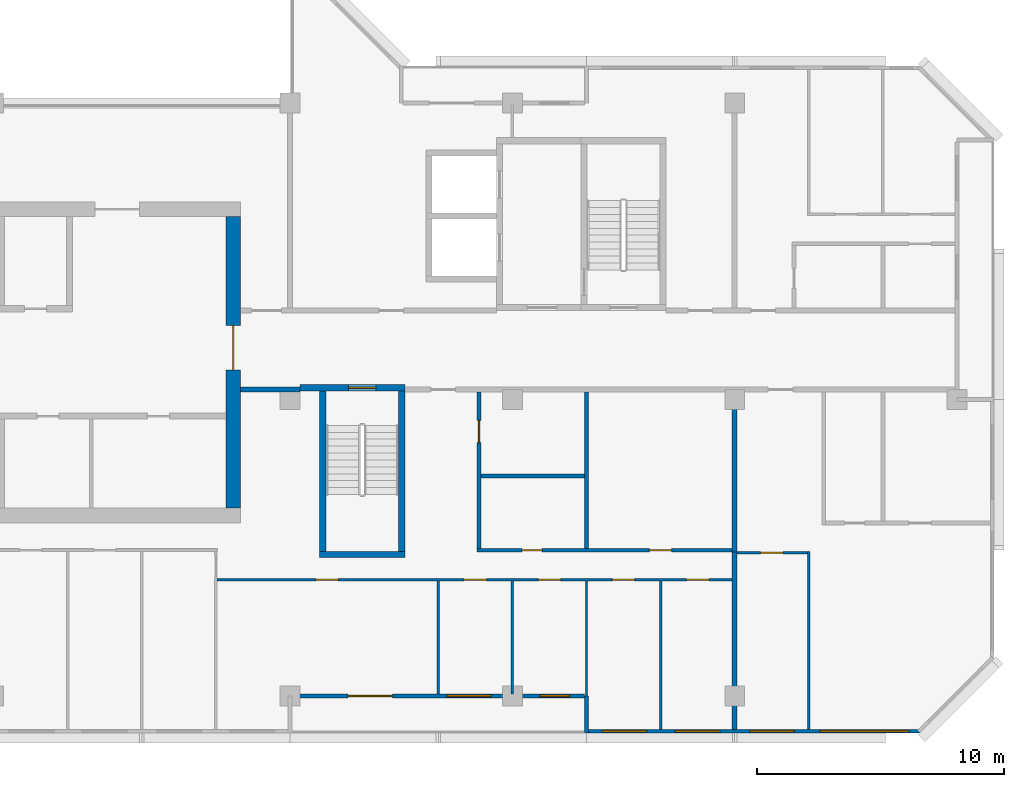
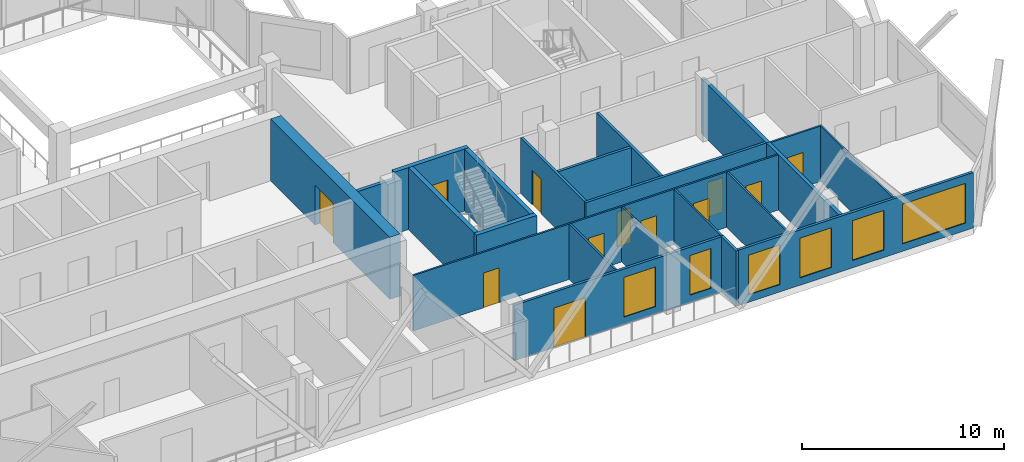
# One storey, part 6 of 13: 22 walls, 12 doors, 6 windows, 18 openings.
"""IFC4 building model written with IfcOpenShell, lengths in metres."""

from ifc_helpers import new_model, si_unit, direction, frame, frame_2d, origin, place, context, subcontext, project, spatial, rectangle, extrude, material, layer, layer_set, type_object, element, fill, save


model = new_model("IFC4")

# Units and contexts
model_context = context("Model", 3, precision=1e-05, world=origin(), true_north=direction((0.0, 1.0)))
body_context = subcontext(model_context, "Body", "Model", "MODEL_VIEW")
ifc_project = project(units=[si_unit("LENGTHUNIT", "METRE"), si_unit("AREAUNIT", "SQUARE_METRE"), si_unit("VOLUMEUNIT", "CUBIC_METRE"), si_unit("PLANEANGLEUNIT", "RADIAN"), si_unit("MASSUNIT", "GRAM", prefix="KILO")], contexts=[model_context])

# Site, building, storey
site_placement = place(None, origin())
site = spatial("IfcSite", under=ifc_project, at=site_placement, CompositionType="ELEMENT")
building_placement = place(site_placement, origin())
building = spatial("IfcBuilding", under=site, at=building_placement, Name="Chenar Terraces", CompositionType="ELEMENT")
storey_placement = place(building_placement, frame((0.0, 0.0, 280.89990234375)))
storey = spatial("IfcBuildingStorey", under=building, at=storey_placement, Name="L65", CompositionType="ELEMENT", Elevation=280.89990234375)

# Wall
ifc_material_1 = material(Name="Concrete C50/60", Category="concrete")
ifc_layer_1 = layer(ifc_material_1, 0.25)
ifc_layer_set_1 = layer_set([ifc_layer_1], Name="Concrete C50/60")
wall_type_1 = type_object("IfcWallType", Name="Core wall 250 Concrete C50/60", PredefinedType="SHEAR", material=ifc_layer_set_1)
wall_1_placement = place(storey_placement, frame((37.199951171875, 5.72509765625, 0.0), z_axis=(0.0, 0.0, 1.0), x_axis=(1.0, 0.0, 0.0)))
element("IfcWall", 1, at=wall_1_placement, inside=storey, type_object=wall_type_1, Name="Core wall ST2_S L65", PredefinedType="SHEAR", context=body_context, shape_type="SweptSolid", body=[
    extrude(rectangle(XDim=3.449951171875, YDim=0.25, at=frame_2d((1.72509765625, 0.0))), origin(), (0.0, 0.0, 1.0), 3.75),
])

# Wall, opening, door
wall_2_placement = place(storey_placement, frame((36.39990234375, 12.47509765625, 0.0), z_axis=(0.0, 0.0, 1.0), x_axis=(1.0, 0.0, 0.0)))
wall_2 = element("IfcWall", 2, at=wall_2_placement, inside=storey, type_object=wall_type_1, Name="Core wall ST2_N L65", PredefinedType="SHEAR", context=body_context, shape_type="SweptSolid", body=[
    extrude(rectangle(XDim=4.25, YDim=0.25, at=frame_2d((2.125, 0.0))), origin(), (0.0, 0.0, 1.0), 3.75),
])
opening_1_placement = place(wall_2_placement, frame((1.97509765625, 0.0, 0.0)))
opening_1 = element("IfcOpeningElement", 3, at=opening_1_placement, cuts=wall_2, Name="Opening DL65-C7", PredefinedType="OPENING", context=body_context, shape_type="SweptSolid", body=[
    extrude(rectangle(XDim=1.10009765625, YDim=2.199951171875, at=frame_2d((0.550048828125, 1.10009765625))), frame((0.0, 0.135009765625, 0.0), z_axis=(0.0, -1.0, 0.0), x_axis=(1.0, 0.0, 0.0)), (0.0, 0.0, 1.0), 0.27001953125),
])
ifc_material_2 = material(Name="Steel-framed fire-resisting door leaf", Category="steel")
door_type_1 = type_object("IfcDoorType", Name="Stair fire door FD60 1100 x 2200", OperationType="SINGLE_SWING_LEFT", PredefinedType="DOOR", material=ifc_material_2)
door_1_placement = place(opening_1_placement, frame((1.10009765625, 0.0, 0.0), z_axis=(0.0, 0.0, 1.0), x_axis=(-1.0, 0.0, 0.0)))
door_1 = element("IfcDoor", 4, at=door_1_placement, inside=storey, type_object=door_type_1, Name="Stair door DL65-C7", OperationType="SINGLE_SWING_LEFT", OverallHeight=2.199951171875, OverallWidth=1.10009765625, PredefinedType="DOOR", context=body_context, shape_type="SweptSolid", body=[
    extrude(rectangle(XDim=1.10009765625, YDim=2.199951171875, at=frame_2d((0.550048828125, 1.10009765625))), frame((0.0, 0.02490234375, 0.0), z_axis=(0.0, -1.0, 0.0), x_axis=(1.0, 0.0, 0.0)), (0.0, 0.0, 1.0), 0.050048828125),
])
fill(opening_1, door_1)

# Walls
for number, where, z_axis, x_axis, name in (
    (5, (37.324951171875, 5.85009765625, 0.0), (0.0, 0.0, 1.0), (0.0, 1.0, 0.0), "Core wall ST2_W L65"),
    (6, (40.52490234375, 5.85009765625, 0.0), (0.0, 0.0, 1.0), (0.0, 1.0, 0.0), "Core wall ST2_E L65"),
):
    element("IfcWall", number, at=place(storey_placement, frame(where, z_axis=z_axis, x_axis=x_axis)), inside=storey, type_object=wall_type_1, Name=name, PredefinedType="SHEAR", context=body_context, shape_type="SweptSolid", body=[
        extrude(rectangle(XDim=6.5, YDim=0.25, at=frame_2d((3.25, 0.0))), origin(), (0.0, 0.0, 1.0), 3.75),
    ])

# Wall, opening, door
ifc_material_3 = material(Name="Concrete C50/60", Category="concrete")
ifc_layer_2 = layer(ifc_material_3, 0.60009765625)
ifc_layer_set_2 = layer_set([ifc_layer_2], Name="Concrete C50/60")
wall_type_2 = type_object("IfcWallType", Name="Core wall 600 Concrete C50/60", PredefinedType="SHEAR", material=ifc_layer_set_2)
wall_3_placement = place(storey_placement, frame((33.699951171875, 7.60009765625, 0.0), z_axis=(0.0, 0.0, 1.0), x_axis=(0.0, 1.0, 0.0)))
wall_3 = element("IfcWall", 7, at=wall_3_placement, inside=storey, type_object=wall_type_2, Name="Core wall E L65", PredefinedType="SHEAR", context=body_context, shape_type="SweptSolid", body=[
    extrude(rectangle(XDim=11.7998046875, YDim=0.60009765625, at=frame_2d((5.89990234375, 0.0))), origin(), (0.0, 0.0, 1.0), 3.75),
])
opening_2_placement = place(wall_3_placement, frame((5.60009765625, 0.0, 0.0)))
opening_2 = element("IfcOpeningElement", 8, at=opening_2_placement, cuts=wall_3, Name="Opening DL65-C1", PredefinedType="OPENING", context=body_context, shape_type="SweptSolid", body=[
    extrude(rectangle(XDim=1.800048828125, YDim=2.39990234375, at=frame_2d((0.89990234375, 1.199951171875))), frame((0.0, 0.31005859375, 0.0), z_axis=(0.0, -1.0, 0.0), x_axis=(1.0, 0.0, 0.0)), (0.0, 0.0, 1.0), 0.6201171875),
])
ifc_material_4 = material(Name="Steel-framed fire-resisting door leaf", Category="steel")
door_type_2 = type_object("IfcDoorType", Name="Core entrance double fire door FD60 1800 x 2400", OperationType="DOUBLE_DOOR_SINGLE_SWING", PredefinedType="DOOR", material=ifc_material_4)
door_2_placement = place(opening_2_placement, origin())
door_2 = element("IfcDoor", 9, at=door_2_placement, inside=storey, type_object=door_type_2, Name="Core door DL65-C1", OperationType="DOUBLE_DOOR_SINGLE_SWING", OverallHeight=2.39990234375, OverallWidth=1.800048828125, PredefinedType="DOOR", context=body_context, shape_type="SweptSolid", body=[
    extrude(rectangle(XDim=1.800048828125, YDim=2.39990234375, at=frame_2d((0.89990234375, 1.199951171875))), frame((0.0, 0.02490234375, 0.0), z_axis=(0.0, -1.0, 0.0), x_axis=(1.0, 0.0, 0.0)), (0.0, 0.0, 1.0), 0.050048828125),
])
fill(opening_2, door_2)

# Wall
ifc_material_5 = material(Name="Gypsum board on steel studs with fire boards", Category="steel")
ifc_layer_3 = layer(ifc_material_5, 0.199951171875)
ifc_layer_set_3 = layer_set([ifc_layer_3], Name="Gypsum board on steel studs with fire boards")
wall_type_3 = type_object("IfcWallType", Name="Corridor wall 200", PredefinedType="PARTITIONING", material=ifc_layer_set_3)
wall_4_placement = place(storey_placement, frame((34.0, 12.39990234375, 0.0), z_axis=(0.0, 0.0, 1.0), x_axis=(1.0, 0.0, 0.0)))
element("IfcWall", 10, at=wall_4_placement, inside=storey, type_object=wall_type_3, Name="Partition L65-048", PredefinedType="PARTITIONING", context=body_context, shape_type="SweptSolid", body=[
    extrude(rectangle(XDim=2.40087890625, YDim=0.199951171875, at=frame_2d((1.200439453125, 0.0))), origin(), (0.0, 0.0, 1.0), 3.35009765625),
])

# Wall, openings, windows
ifc_material_6 = material(Name="Aluminium framed glazing", Category="aluminium")
ifc_layer_4 = layer(ifc_material_6, 0.14990234375)
ifc_layer_set_4 = layer_set([ifc_layer_4], Name="Aluminium framed glazing")
wall_type_4 = type_object("IfcWallType", Name="Glazed flush facade wall 150", PredefinedType="SOLIDWALL", material=ifc_layer_set_4)
wall_5_placement = place(storey_placement, frame((48.074951171875, -1.425048828125, 0.0), z_axis=(0.0, 0.0, 1.0), x_axis=(1.0, 0.0, 0.0)))
wall_5 = element("IfcWall", 11, at=wall_5_placement, inside=storey, type_object=wall_type_4, Name="Glazed flush facade wall", PredefinedType="SOLIDWALL", context=body_context, shape_type="SweptSolid", body=[
    extrude(rectangle(XDim=13.425048828125, YDim=0.14990234375, at=frame_2d((6.71240234375, 0.0))), origin(), (0.0, 0.0, 1.0), 3.35009765625),
])
opening_3_placement = place(wall_5_placement, frame((0.5625, 0.0, 0.449951171875)))
opening_3 = element("IfcOpeningElement", 12, at=opening_3_placement, cuts=wall_5, Name="Opening W180x240", PredefinedType="OPENING", context=body_context, shape_type="SweptSolid", body=[
    extrude(rectangle(XDim=1.800048828125, YDim=2.39990234375, at=frame_2d((0.89990234375, 1.199951171875))), frame((0.0, 0.0849609375, 0.0), z_axis=(0.0, -1.0, 0.0), x_axis=(1.0, 0.0, 0.0)), (0.0, 0.0, 1.0), 0.169921875),
])
opening_4_placement = place(wall_5_placement, frame((3.52490234375, 0.0, 0.449951171875)))
opening_4 = element("IfcOpeningElement", 13, at=opening_4_placement, cuts=wall_5, Name="Opening W180x240", PredefinedType="OPENING", context=body_context, shape_type="SweptSolid", body=[
    extrude(rectangle(XDim=1.800048828125, YDim=2.39990234375, at=frame_2d((0.89990234375, 1.199951171875))), frame((0.0, 0.0849609375, 0.0), z_axis=(0.0, -1.0, 0.0), x_axis=(1.0, 0.0, 0.0)), (0.0, 0.0, 1.0), 0.169921875),
])
opening_5_placement = place(wall_5_placement, frame((6.52490234375, 0.0, 0.449951171875)))
opening_5 = element("IfcOpeningElement", 14, at=opening_5_placement, cuts=wall_5, Name="Opening W180x240", PredefinedType="OPENING", context=body_context, shape_type="SweptSolid", body=[
    extrude(rectangle(XDim=1.800048828125, YDim=2.39990234375, at=frame_2d((0.89990234375, 1.199951171875))), frame((0.0, 0.0849609375, 0.0), z_axis=(0.0, -1.0, 0.0), x_axis=(1.0, 0.0, 0.0)), (0.0, 0.0, 1.0), 0.169921875),
])
opening_6_placement = place(wall_5_placement, frame((9.375, 0.0, 0.449951171875)))
opening_6 = element("IfcOpeningElement", 15, at=opening_6_placement, cuts=wall_5, Name="Opening W360x240", PredefinedType="OPENING", context=body_context, shape_type="SweptSolid", body=[
    extrude(rectangle(XDim=3.60009765625, YDim=2.39990234375, at=frame_2d((1.800048828125, 1.199951171875))), frame((0.0, 0.0849609375, 0.0), z_axis=(0.0, -1.0, 0.0), x_axis=(1.0, 0.0, 0.0)), (0.0, 0.0, 1.0), 0.169921875),
])
ifc_material_7 = material(Name="Low emissivity double glazing, aluminium frame", Category="aluminium")
window_type_1 = type_object("IfcWindowType", Name="Fixed light 1800 x 2400", PartitioningType="SINGLE_PANEL", PredefinedType="WINDOW", material=ifc_material_7)
window_1_placement = place(opening_3_placement, origin())
window_1 = element("IfcWindow", 16, at=window_1_placement, inside=storey, type_object=window_type_1, Name="Window", OverallHeight=2.39990234375, OverallWidth=1.800048828125, PartitioningType="SINGLE_PANEL", PredefinedType="WINDOW", context=body_context, shape_type="SweptSolid", body=[
    extrude(rectangle(XDim=1.800048828125, YDim=2.39990234375, at=frame_2d((0.89990234375, 1.199951171875))), frame((0.0, 0.030029296875, 0.0), z_axis=(0.0, -1.0, 0.0), x_axis=(1.0, 0.0, 0.0)), (0.0, 0.0, 1.0), 0.06005859375),
])
fill(opening_3, window_1)
window_2_placement = place(opening_4_placement, origin())
window_2 = element("IfcWindow", 17, at=window_2_placement, inside=storey, type_object=window_type_1, Name="Window", OverallHeight=2.39990234375, OverallWidth=1.800048828125, PartitioningType="SINGLE_PANEL", PredefinedType="WINDOW", context=body_context, shape_type="SweptSolid", body=[
    extrude(rectangle(XDim=1.800048828125, YDim=2.39990234375, at=frame_2d((0.89990234375, 1.199951171875))), frame((0.0, 0.030029296875, 0.0), z_axis=(0.0, -1.0, 0.0), x_axis=(1.0, 0.0, 0.0)), (0.0, 0.0, 1.0), 0.06005859375),
])
fill(opening_4, window_2)
window_3_placement = place(opening_5_placement, origin())
window_3 = element("IfcWindow", 18, at=window_3_placement, inside=storey, type_object=window_type_1, Name="Window", OverallHeight=2.39990234375, OverallWidth=1.800048828125, PartitioningType="SINGLE_PANEL", PredefinedType="WINDOW", context=body_context, shape_type="SweptSolid", body=[
    extrude(rectangle(XDim=1.800048828125, YDim=2.39990234375, at=frame_2d((0.89990234375, 1.199951171875))), frame((0.0, 0.030029296875, 0.0), z_axis=(0.0, -1.0, 0.0), x_axis=(1.0, 0.0, 0.0)), (0.0, 0.0, 1.0), 0.06005859375),
])
fill(opening_5, window_3)
ifc_material_8 = material(Name="Low emissivity double glazing, aluminium frame", Category="aluminium")
window_type_2 = type_object("IfcWindowType", Name="Fixed light 3600 x 2400", PartitioningType="SINGLE_PANEL", PredefinedType="WINDOW", material=ifc_material_8)
window_4_placement = place(opening_6_placement, origin())
window_4 = element("IfcWindow", 19, at=window_4_placement, inside=storey, type_object=window_type_2, Name="Window", OverallHeight=2.39990234375, OverallWidth=3.60009765625, PartitioningType="SINGLE_PANEL", PredefinedType="WINDOW", context=body_context, shape_type="SweptSolid", body=[
    extrude(rectangle(XDim=3.60009765625, YDim=2.39990234375, at=frame_2d((1.800048828125, 1.199951171875))), frame((0.0, 0.030029296875, 0.0), z_axis=(0.0, -1.0, 0.0), x_axis=(1.0, 0.0, 0.0)), (0.0, 0.0, 1.0), 0.06005859375),
])
fill(opening_6, window_4)

# Wall, openings, windows, door
ifc_material_9 = material(Name="Aluminium framed glazing", Category="aluminium")
ifc_layer_5 = layer(ifc_material_9, 0.14990234375)
ifc_layer_set_5 = layer_set([ifc_layer_5], Name="Aluminium framed glazing")
wall_type_5 = type_object("IfcWallType", Name="Glazed loggia back wall 150", PredefinedType="SOLIDWALL", material=ifc_layer_set_5)
wall_6_placement = place(storey_placement, frame((36.074951171875, 0.0, 0.0), z_axis=(0.0, 0.0, 1.0), x_axis=(1.0, 0.0, 0.0)))
wall_6 = element("IfcWall", 20, at=wall_6_placement, inside=storey, type_object=wall_type_5, Name="Glazed loggia back wall", PredefinedType="SOLIDWALL", context=body_context, shape_type="SweptSolid", body=[
    extrude(rectangle(XDim=11.85009765625, YDim=0.14990234375, at=frame_2d((5.925048828125, 0.0))), origin(), (0.0, 0.0, 1.0), 3.35009765625),
])
opening_7_placement = place(wall_6_placement, frame((2.27490234375, 0.0, 0.0)))
opening_7 = element("IfcOpeningElement", 21, at=opening_7_placement, cuts=wall_6, Name="Opening DL65-G6", PredefinedType="OPENING", context=body_context, shape_type="SweptSolid", body=[
    extrude(rectangle(XDim=1.800048828125, YDim=2.39990234375, at=frame_2d((0.89990234375, 1.199951171875))), frame((0.0, 0.0849609375, 0.0), z_axis=(0.0, -1.0, 0.0), x_axis=(1.0, 0.0, 0.0)), (0.0, 0.0, 1.0), 0.169921875),
])
opening_8_placement = place(wall_6_placement, frame((6.27490234375, 0.0, 0.449951171875)))
opening_8 = element("IfcOpeningElement", 22, at=opening_8_placement, cuts=wall_6, Name="Opening W180x240", PredefinedType="OPENING", context=body_context, shape_type="SweptSolid", body=[
    extrude(rectangle(XDim=1.800048828125, YDim=2.39990234375, at=frame_2d((0.89990234375, 1.199951171875))), frame((0.0, 0.0849609375, 0.0), z_axis=(0.0, -1.0, 0.0), x_axis=(1.0, 0.0, 0.0)), (0.0, 0.0, 1.0), 0.169921875),
])
opening_9_placement = place(wall_6_placement, frame((10.03759765625, 0.0, 0.449951171875)))
opening_9 = element("IfcOpeningElement", 23, at=opening_9_placement, cuts=wall_6, Name="Opening W120x240", PredefinedType="OPENING", context=body_context, shape_type="SweptSolid", body=[
    extrude(rectangle(XDim=1.199951171875, YDim=2.39990234375, at=frame_2d((0.60009765625, 1.199951171875))), frame((0.0, 0.0849609375, 0.0), z_axis=(0.0, -1.0, 0.0), x_axis=(1.0, 0.0, 0.0)), (0.0, 0.0, 1.0), 0.169921875),
])
ifc_material_10 = material(Name="Low emissivity double glazing, aluminium frame", Category="aluminium")
window_type_3 = type_object("IfcWindowType", Name="Fixed light 1200 x 2400", PartitioningType="SINGLE_PANEL", PredefinedType="WINDOW", material=ifc_material_10)
window_5_placement = place(opening_9_placement, origin())
window_5 = element("IfcWindow", 24, at=window_5_placement, inside=storey, type_object=window_type_3, Name="Window", OverallHeight=2.39990234375, OverallWidth=1.199951171875, PartitioningType="SINGLE_PANEL", PredefinedType="WINDOW", context=body_context, shape_type="SweptSolid", body=[
    extrude(rectangle(XDim=1.199951171875, YDim=2.39990234375, at=frame_2d((0.60009765625, 1.199951171875))), frame((0.0, 0.030029296875, 0.0), z_axis=(0.0, -1.0, 0.0), x_axis=(1.0, 0.0, 0.0)), (0.0, 0.0, 1.0), 0.06005859375),
])
fill(opening_9, window_5)
window_6_placement = place(opening_8_placement, origin())
window_6 = element("IfcWindow", 25, at=window_6_placement, inside=storey, type_object=window_type_1, Name="Window", OverallHeight=2.39990234375, OverallWidth=1.800048828125, PartitioningType="SINGLE_PANEL", PredefinedType="WINDOW", context=body_context, shape_type="SweptSolid", body=[
    extrude(rectangle(XDim=1.800048828125, YDim=2.39990234375, at=frame_2d((0.89990234375, 1.199951171875))), frame((0.0, 0.030029296875, 0.0), z_axis=(0.0, -1.0, 0.0), x_axis=(1.0, 0.0, 0.0)), (0.0, 0.0, 1.0), 0.06005859375),
])
fill(opening_8, window_6)
ifc_material_11 = material(Name="Low emissivity double glazing, aluminium frame", Category="aluminium")
door_type_3 = type_object("IfcDoorType", Name="Loggia glazed double door 1800 x 2400", OperationType="DOUBLE_DOOR_SINGLE_SWING", PredefinedType="DOOR", material=ifc_material_11)
door_3_placement = place(opening_7_placement, frame((1.800048828125, 0.0, 0.0), z_axis=(0.0, 0.0, 1.0), x_axis=(-1.0, 0.0, 0.0)))
door_3 = element("IfcDoor", 26, at=door_3_placement, inside=storey, type_object=door_type_3, Name="Loggia glazed door", OperationType="DOUBLE_DOOR_SINGLE_SWING", OverallHeight=2.39990234375, OverallWidth=1.800048828125, PredefinedType="DOOR", context=body_context, shape_type="SweptSolid", body=[
    extrude(rectangle(XDim=1.800048828125, YDim=2.39990234375, at=frame_2d((0.89990234375, 1.199951171875))), frame((0.0, 0.02490234375, 0.0), z_axis=(0.0, -1.0, 0.0), x_axis=(1.0, 0.0, 0.0)), (0.0, 0.0, 1.0), 0.050048828125),
])
fill(opening_7, door_3)

# Wall, openings, doors
ifc_material_12 = material(Name="Gypsum board on steel studs", Category="steel")
ifc_layer_6 = layer(ifc_material_12, 0.10009765625)
ifc_layer_set_6 = layer_set([ifc_layer_6], Name="Gypsum board on steel studs")
wall_type_6 = type_object("IfcWallType", Name="Gypsum partition 100", PredefinedType="PARTITIONING", material=ifc_layer_set_6)
wall_7_placement = place(storey_placement, frame((33.050048828125, 4.699951171875, 0.0), z_axis=(0.0, 0.0, 1.0), x_axis=(1.0, 0.0, 0.0)))
wall_7 = element("IfcWall", 27, at=wall_7_placement, inside=storey, type_object=wall_type_6, Name="Partition L65-047", PredefinedType="PARTITIONING", context=body_context, shape_type="SweptSolid", body=[
    extrude(rectangle(XDim=20.849853515625, YDim=0.10009765625, at=frame_2d((10.4248046875, 0.0))), origin(), (0.0, 0.0, 1.0), 3.35009765625),
])
opening_10_placement = place(wall_7_placement, frame((10.0, 0.0, 0.0)))
opening_10 = element("IfcOpeningElement", 28, at=opening_10_placement, cuts=wall_7, Name="Opening DL65-38", PredefinedType="OPENING", context=body_context, shape_type="SweptSolid", body=[
    extrude(rectangle(XDim=0.89990234375, YDim=2.10009765625, at=frame_2d((0.449951171875, 1.050048828125))), frame((0.0, 0.06005859375, 0.0), z_axis=(0.0, -1.0, 0.0), x_axis=(1.0, 0.0, 0.0)), (0.0, 0.0, 1.0), 0.1201171875),
])
opening_11_placement = place(wall_7_placement, frame((13.0, 0.0, 0.0)))
opening_11 = element("IfcOpeningElement", 29, at=opening_11_placement, cuts=wall_7, Name="Opening DL65-39", PredefinedType="OPENING", context=body_context, shape_type="SweptSolid", body=[
    extrude(rectangle(XDim=0.89990234375, YDim=2.10009765625, at=frame_2d((0.449951171875, 1.050048828125))), frame((0.0, 0.06005859375, 0.0), z_axis=(0.0, -1.0, 0.0), x_axis=(1.0, 0.0, 0.0)), (0.0, 0.0, 1.0), 0.1201171875),
])
opening_12_placement = place(wall_7_placement, frame((16.0, 0.0, 0.0)))
opening_12 = element("IfcOpeningElement", 30, at=opening_12_placement, cuts=wall_7, Name="Opening DL65-40", PredefinedType="OPENING", context=body_context, shape_type="SweptSolid", body=[
    extrude(rectangle(XDim=0.89990234375, YDim=2.10009765625, at=frame_2d((0.449951171875, 1.050048828125))), frame((0.0, 0.06005859375, 0.0), z_axis=(0.0, -1.0, 0.0), x_axis=(1.0, 0.0, 0.0)), (0.0, 0.0, 1.0), 0.1201171875),
])
opening_13_placement = place(wall_7_placement, frame((19.0, 0.0, 0.0)))
opening_13 = element("IfcOpeningElement", 31, at=opening_13_placement, cuts=wall_7, Name="Opening DL65-41", PredefinedType="OPENING", context=body_context, shape_type="SweptSolid", body=[
    extrude(rectangle(XDim=0.89990234375, YDim=2.10009765625, at=frame_2d((0.449951171875, 1.050048828125))), frame((0.0, 0.06005859375, 0.0), z_axis=(0.0, -1.0, 0.0), x_axis=(1.0, 0.0, 0.0)), (0.0, 0.0, 1.0), 0.1201171875),
])
opening_14_placement = place(wall_7_placement, frame((4.0, 0.0, 0.0)))
opening_14 = element("IfcOpeningElement", 32, at=opening_14_placement, cuts=wall_7, Name="Opening DL65-48", PredefinedType="OPENING", context=body_context, shape_type="SweptSolid", body=[
    extrude(rectangle(XDim=0.89990234375, YDim=2.10009765625, at=frame_2d((0.449951171875, 1.050048828125))), frame((0.0, 0.06005859375, 0.0), z_axis=(0.0, -1.0, 0.0), x_axis=(1.0, 0.0, 0.0)), (0.0, 0.0, 1.0), 0.1201171875),
])
ifc_material_13 = material(Name="Veneered timber door leaf", Category="wood")
door_type_4 = type_object("IfcDoorType", Name="Door 900 x 2100", OperationType="SINGLE_SWING_LEFT", PredefinedType="DOOR", material=ifc_material_13)
door_4_placement = place(opening_10_placement, frame((0.89990234375, 0.0, 0.0), z_axis=(0.0, 0.0, 1.0), x_axis=(-1.0, 0.0, 0.0)))
door_4 = element("IfcDoor", 33, at=door_4_placement, inside=storey, type_object=door_type_4, Name="Door DL65-38", OperationType="SINGLE_SWING_LEFT", OverallHeight=2.10009765625, OverallWidth=0.89990234375, PredefinedType="DOOR", context=body_context, shape_type="SweptSolid", body=[
    extrude(rectangle(XDim=0.89990234375, YDim=2.10009765625, at=frame_2d((0.449951171875, 1.050048828125))), frame((0.0, 0.02490234375, 0.0), z_axis=(0.0, -1.0, 0.0), x_axis=(1.0, 0.0, 0.0)), (0.0, 0.0, 1.0), 0.050048828125),
])
fill(opening_10, door_4)
door_5_placement = place(opening_11_placement, frame((0.89990234375, 0.0, 0.0), z_axis=(0.0, 0.0, 1.0), x_axis=(-1.0, 0.0, 0.0)))
door_5 = element("IfcDoor", 34, at=door_5_placement, inside=storey, type_object=door_type_4, Name="Door DL65-39", OperationType="SINGLE_SWING_LEFT", OverallHeight=2.10009765625, OverallWidth=0.89990234375, PredefinedType="DOOR", context=body_context, shape_type="SweptSolid", body=[
    extrude(rectangle(XDim=0.89990234375, YDim=2.10009765625, at=frame_2d((0.449951171875, 1.050048828125))), frame((0.0, 0.02490234375, 0.0), z_axis=(0.0, -1.0, 0.0), x_axis=(1.0, 0.0, 0.0)), (0.0, 0.0, 1.0), 0.050048828125),
])
fill(opening_11, door_5)
door_6_placement = place(opening_12_placement, frame((0.89990234375, 0.0, 0.0), z_axis=(0.0, 0.0, 1.0), x_axis=(-1.0, 0.0, 0.0)))
door_6 = element("IfcDoor", 35, at=door_6_placement, inside=storey, type_object=door_type_4, Name="Door DL65-40", OperationType="SINGLE_SWING_LEFT", OverallHeight=2.10009765625, OverallWidth=0.89990234375, PredefinedType="DOOR", context=body_context, shape_type="SweptSolid", body=[
    extrude(rectangle(XDim=0.89990234375, YDim=2.10009765625, at=frame_2d((0.449951171875, 1.050048828125))), frame((0.0, 0.02490234375, 0.0), z_axis=(0.0, -1.0, 0.0), x_axis=(1.0, 0.0, 0.0)), (0.0, 0.0, 1.0), 0.050048828125),
])
fill(opening_12, door_6)
door_7_placement = place(opening_13_placement, frame((0.89990234375, 0.0, 0.0), z_axis=(0.0, 0.0, 1.0), x_axis=(-1.0, 0.0, 0.0)))
door_7 = element("IfcDoor", 36, at=door_7_placement, inside=storey, type_object=door_type_4, Name="Door DL65-41", OperationType="SINGLE_SWING_LEFT", OverallHeight=2.10009765625, OverallWidth=0.89990234375, PredefinedType="DOOR", context=body_context, shape_type="SweptSolid", body=[
    extrude(rectangle(XDim=0.89990234375, YDim=2.10009765625, at=frame_2d((0.449951171875, 1.050048828125))), frame((0.0, 0.02490234375, 0.0), z_axis=(0.0, -1.0, 0.0), x_axis=(1.0, 0.0, 0.0)), (0.0, 0.0, 1.0), 0.050048828125),
])
fill(opening_13, door_7)
door_8_placement = place(opening_14_placement, frame((0.89990234375, 0.0, 0.0), z_axis=(0.0, 0.0, 1.0), x_axis=(-1.0, 0.0, 0.0)))
door_8 = element("IfcDoor", 37, at=door_8_placement, inside=storey, type_object=door_type_4, Name="Door DL65-48", OperationType="SINGLE_SWING_LEFT", OverallHeight=2.10009765625, OverallWidth=0.89990234375, PredefinedType="DOOR", context=body_context, shape_type="SweptSolid", body=[
    extrude(rectangle(XDim=0.89990234375, YDim=2.10009765625, at=frame_2d((0.449951171875, 1.050048828125))), frame((0.0, 0.02490234375, 0.0), z_axis=(0.0, -1.0, 0.0), x_axis=(1.0, 0.0, 0.0)), (0.0, 0.0, 1.0), 0.050048828125),
])
fill(opening_14, door_8)

# Walls
for number, where, z_axis, x_axis, name in (
    (38, (42.0, 0.073974609375, 0.0), (0.0, 0.0, 1.0), (0.0, 1.0, 0.0), "Partition L65-052"),
    (39, (45.0, 0.073974609375, 0.0), (0.0, 0.0, 1.0), (0.0, 1.0, 0.0), "Partition L65-056"),
):
    element("IfcWall", number, at=place(storey_placement, frame(where, z_axis=z_axis, x_axis=x_axis)), inside=storey, type_object=wall_type_6, Name=name, PredefinedType="PARTITIONING", context=body_context, shape_type="SweptSolid", body=[
        extrude(rectangle(XDim=4.575927734375, YDim=0.10009765625, at=frame_2d((2.2880859375, 0.0))), origin(), (0.0, 0.0, 1.0), 3.35009765625),
    ])
wall_8_placement = place(storey_placement, frame((48.0, 0.0, 0.0), z_axis=(0.0, 0.0, 1.0), x_axis=(0.0, 1.0, 0.0)))
element("IfcWall", 40, at=wall_8_placement, inside=storey, type_object=wall_type_6, Name="Partition L65-058", PredefinedType="PARTITIONING", context=body_context, shape_type="SweptSolid", body=[
    extrude(rectangle(XDim=4.64990234375, YDim=0.10009765625, at=frame_2d((2.324951171875, 0.0))), origin(), (0.0, 0.0, 1.0), 3.35009765625),
])
wall_9_placement = place(storey_placement, frame((51.0, -1.35107421875, 0.0), z_axis=(0.0, 0.0, 1.0), x_axis=(0.0, 1.0, 0.0)))
element("IfcWall", 41, at=wall_9_placement, inside=storey, type_object=wall_type_6, Name="Partition L65-060", PredefinedType="PARTITIONING", context=body_context, shape_type="SweptSolid", body=[
    extrude(rectangle(XDim=6.0009765625, YDim=0.10009765625, at=frame_2d((3.00048828125, 0.0))), origin(), (0.0, 0.0, 1.0), 3.35009765625),
])

# Wall, opening, door
wall_10_placement = place(storey_placement, frame((54.10009765625, 5.800048828125, 0.0), z_axis=(0.0, 0.0, 1.0), x_axis=(1.0, 0.0, 0.0)))
wall_10 = element("IfcWall", 42, at=wall_10_placement, inside=storey, type_object=wall_type_6, Name="Partition L65-065", PredefinedType="PARTITIONING", context=body_context, shape_type="SweptSolid", body=[
    extrude(rectangle(XDim=2.849853515625, YDim=0.10009765625, at=frame_2d((1.4248046875, 0.0))), origin(), (0.0, 0.0, 1.0), 3.35009765625),
])
opening_15_placement = place(wall_10_placement, frame((0.949951171875, 0.0, 0.0)))
opening_15 = element("IfcOpeningElement", 43, at=opening_15_placement, cuts=wall_10, Name="Opening DL65-10", PredefinedType="OPENING", context=body_context, shape_type="SweptSolid", body=[
    extrude(rectangle(XDim=0.89990234375, YDim=2.10009765625, at=frame_2d((0.449951171875, 1.050048828125))), frame((0.0, 0.06005859375, 0.0), z_axis=(0.0, -1.0, 0.0), x_axis=(1.0, 0.0, 0.0)), (0.0, 0.0, 1.0), 0.1201171875),
])
door_9_placement = place(opening_15_placement, frame((0.89990234375, 0.0, 0.0), z_axis=(0.0, 0.0, 1.0), x_axis=(-1.0, 0.0, 0.0)))
door_9 = element("IfcDoor", 44, at=door_9_placement, inside=storey, type_object=door_type_4, Name="Door DL65-10", OperationType="SINGLE_SWING_LEFT", OverallHeight=2.10009765625, OverallWidth=0.89990234375, PredefinedType="DOOR", context=body_context, shape_type="SweptSolid", body=[
    extrude(rectangle(XDim=0.89990234375, YDim=2.10009765625, at=frame_2d((0.449951171875, 1.050048828125))), frame((0.0, 0.02490234375, 0.0), z_axis=(0.0, -1.0, 0.0), x_axis=(1.0, 0.0, 0.0)), (0.0, 0.0, 1.0), 0.050048828125),
])
fill(opening_15, door_9)

# Walls
wall_11_placement = place(storey_placement, frame((57.0, -1.35009765625, 0.0), z_axis=(0.0, 0.0, 1.0), x_axis=(0.0, 1.0, 0.0)))
element("IfcWall", 45, at=wall_11_placement, inside=storey, type_object=wall_type_6, Name="Partition L65-069", PredefinedType="PARTITIONING", context=body_context, shape_type="SweptSolid", body=[
    extrude(rectangle(XDim=7.2001953125, YDim=0.10009765625, at=frame_2d((3.60009765625, 0.0))), origin(), (0.0, 0.0, 1.0), 3.35009765625),
])
ifc_material_14 = material(Name="Terracotta cladding on insulated backing", Category="masonry")
ifc_layer_7 = layer(ifc_material_14, 0.14990234375)
ifc_layer_set_7 = layer_set([ifc_layer_7], Name="Terracotta cladding on insulated backing")
wall_type_7 = type_object("IfcWallType", Name="Loggia return wall 150", PredefinedType="SOLIDWALL", material=ifc_layer_set_7)
wall_12_placement = place(storey_placement, frame((48.0, -1.5, 0.0), z_axis=(0.0, 0.0, 1.0), x_axis=(0.0, 1.0, 0.0)))
element("IfcWall", 46, at=wall_12_placement, inside=storey, type_object=wall_type_7, Name="Loggia return wall", PredefinedType="SOLIDWALL", context=body_context, shape_type="SweptSolid", body=[
    extrude(rectangle(XDim=1.5, YDim=0.14990234375, at=frame_2d((0.75, 0.0))), origin(), (0.0, 0.0, 1.0), 3.35009765625),
])
ifc_material_15 = material(Name="Twin gypsum board on steel studs with mineral wool", Category="steel")
ifc_layer_8 = layer(ifc_material_15, 0.199951171875)
ifc_layer_set_8 = layer_set([ifc_layer_8], Name="Twin gypsum board on steel studs with mineral wool")
wall_type_8 = type_object("IfcWallType", Name="Unit demising wall 200", PredefinedType="PARTITIONING", material=ifc_layer_set_8)
wall_13_placement = place(storey_placement, frame((54.0, -1.35107421875, 0.0), z_axis=(0.0, 0.0, 1.0), x_axis=(0.0, 1.0, 0.0)))
element("IfcWall", 47, at=wall_13_placement, inside=storey, type_object=wall_type_8, Name="Partition L65-062", PredefinedType="PARTITIONING", context=body_context, shape_type="SweptSolid", body=[
    extrude(rectangle(XDim=7.201171875, YDim=0.199951171875, at=frame_2d((3.6005859375, 0.0))), origin(), (0.0, 0.0, 1.0), 3.35009765625),
])
wall_14_placement = place(storey_placement, frame((54.0, 5.824951171875, 0.0), z_axis=(0.0, 0.0, 1.0), x_axis=(0.0, 1.0, 0.0)))
element("IfcWall", 48, at=wall_14_placement, inside=storey, type_object=wall_type_8, Name="Partition L65-063", PredefinedType="PARTITIONING", context=body_context, shape_type="SweptSolid", body=[
    extrude(rectangle(XDim=6.47509765625, YDim=0.199951171875, at=frame_2d((3.237548828125, 0.0))), origin(), (0.0, 0.0, 1.0), 3.35009765625),
])

# Wall, openings, doors
ifc_material_16 = material(Name="Moisture-resistant gypsum board on steel studs", Category="steel")
ifc_layer_9 = layer(ifc_material_16, 0.14990234375)
ifc_layer_set_9 = layer_set([ifc_layer_9], Name="Moisture-resistant gypsum board on steel studs")
wall_type_9 = type_object("IfcWallType", Name="Wet-room partition 150", PredefinedType="PARTITIONING", material=ifc_layer_set_9)
wall_15_placement = place(storey_placement, frame((43.574951171875, 5.89990234375, 0.0), z_axis=(0.0, 0.0, 1.0), x_axis=(1.0, 0.0, 0.0)))
wall_15 = element("IfcWall", 49, at=wall_15_placement, inside=storey, type_object=wall_type_9, Name="Partition L65-053", PredefinedType="PARTITIONING", context=body_context, shape_type="SweptSolid", body=[
    extrude(rectangle(XDim=10.324951171875, YDim=0.14990234375, at=frame_2d((5.16259765625, 0.0))), origin(), (0.0, 0.0, 1.0), 3.35009765625),
])
opening_16_placement = place(wall_15_placement, frame((1.824951171875, 0.0, 0.0)))
opening_16 = element("IfcOpeningElement", 50, at=opening_16_placement, cuts=wall_15, Name="Opening DL65-33", PredefinedType="OPENING", context=body_context, shape_type="SweptSolid", body=[
    extrude(rectangle(XDim=0.800048828125, YDim=2.10009765625, at=frame_2d((0.39990234375, 1.050048828125))), frame((0.0, 0.0849609375, 0.0), z_axis=(0.0, -1.0, 0.0), x_axis=(1.0, 0.0, 0.0)), (0.0, 0.0, 1.0), 0.169921875),
])
opening_17_placement = place(wall_15_placement, frame((6.97509765625, 0.0, 0.0)))
opening_17 = element("IfcOpeningElement", 51, at=opening_17_placement, cuts=wall_15, Name="Opening DL65-44", PredefinedType="OPENING", context=body_context, shape_type="SweptSolid", body=[
    extrude(rectangle(XDim=0.89990234375, YDim=2.10009765625, at=frame_2d((0.449951171875, 1.050048828125))), frame((0.0, 0.0849609375, 0.0), z_axis=(0.0, -1.0, 0.0), x_axis=(1.0, 0.0, 0.0)), (0.0, 0.0, 1.0), 0.169921875),
])
ifc_material_17 = material(Name="Veneered timber door leaf", Category="wood")
door_type_5 = type_object("IfcDoorType", Name="Door 800 x 2100", OperationType="SINGLE_SWING_LEFT", PredefinedType="DOOR", material=ifc_material_17)
door_10_placement = place(opening_16_placement, origin())
door_10 = element("IfcDoor", 52, at=door_10_placement, inside=storey, type_object=door_type_5, Name="Door DL65-33", OperationType="SINGLE_SWING_RIGHT", OverallHeight=2.10009765625, OverallWidth=0.800048828125, PredefinedType="DOOR", context=body_context, shape_type="SweptSolid", body=[
    extrude(rectangle(XDim=0.800048828125, YDim=2.10009765625, at=frame_2d((0.39990234375, 1.050048828125))), frame((0.0, 0.02490234375, 0.0), z_axis=(0.0, -1.0, 0.0), x_axis=(1.0, 0.0, 0.0)), (0.0, 0.0, 1.0), 0.050048828125),
])
fill(opening_16, door_10)
door_11_placement = place(opening_17_placement, origin())
door_11 = element("IfcDoor", 53, at=door_11_placement, inside=storey, type_object=door_type_4, Name="Door DL65-44", OperationType="SINGLE_SWING_RIGHT", OverallHeight=2.10009765625, OverallWidth=0.89990234375, PredefinedType="DOOR", context=body_context, shape_type="SweptSolid", body=[
    extrude(rectangle(XDim=0.89990234375, YDim=2.10009765625, at=frame_2d((0.449951171875, 1.050048828125))), frame((0.0, 0.02490234375, 0.0), z_axis=(0.0, -1.0, 0.0), x_axis=(1.0, 0.0, 0.0)), (0.0, 0.0, 1.0), 0.050048828125),
])
fill(opening_17, door_11)

# Wall, opening, door
wall_16_placement = place(storey_placement, frame((43.64990234375, 5.97509765625, 0.0), z_axis=(0.0, 0.0, 1.0), x_axis=(0.0, 1.0, 0.0)))
wall_16 = element("IfcWall", 54, at=wall_16_placement, inside=storey, type_object=wall_type_9, Name="Partition L65-054", PredefinedType="PARTITIONING", context=body_context, shape_type="SweptSolid", body=[
    extrude(rectangle(XDim=6.324951171875, YDim=0.14990234375, at=frame_2d((3.16259765625, 0.0))), origin(), (0.0, 0.0, 1.0), 3.35009765625),
])
opening_18_placement = place(wall_16_placement, frame((4.27490234375, 0.0, 0.0)))
opening_18 = element("IfcOpeningElement", 55, at=opening_18_placement, cuts=wall_16, Name="Opening DL65-46", PredefinedType="OPENING", context=body_context, shape_type="SweptSolid", body=[
    extrude(rectangle(XDim=0.89990234375, YDim=2.10009765625, at=frame_2d((0.449951171875, 1.050048828125))), frame((0.0, 0.0849609375, 0.0), z_axis=(0.0, -1.0, 0.0), x_axis=(1.0, 0.0, 0.0)), (0.0, 0.0, 1.0), 0.169921875),
])
door_12_placement = place(opening_18_placement, frame((0.89990234375, 0.0, 0.0), z_axis=(0.0, 0.0, 1.0), x_axis=(-1.0, 0.0, 0.0)))
door_12 = element("IfcDoor", 56, at=door_12_placement, inside=storey, type_object=door_type_4, Name="Door DL65-46", OperationType="SINGLE_SWING_LEFT", OverallHeight=2.10009765625, OverallWidth=0.89990234375, PredefinedType="DOOR", context=body_context, shape_type="SweptSolid", body=[
    extrude(rectangle(XDim=0.89990234375, YDim=2.10009765625, at=frame_2d((0.449951171875, 1.050048828125))), frame((0.0, 0.02490234375, 0.0), z_axis=(0.0, -1.0, 0.0), x_axis=(1.0, 0.0, 0.0)), (0.0, 0.0, 1.0), 0.050048828125),
])
fill(opening_18, door_12)

# Walls
wall_17_placement = place(storey_placement, frame((43.72509765625, 8.89990234375, 0.0), z_axis=(0.0, 0.0, 1.0), x_axis=(1.0, 0.0, 0.0)))
element("IfcWall", 57, at=wall_17_placement, inside=storey, type_object=wall_type_9, Name="Partition L65-055", PredefinedType="PARTITIONING", context=body_context, shape_type="SweptSolid", body=[
    extrude(rectangle(XDim=4.199951171875, YDim=0.14990234375, at=frame_2d((2.10009765625, 0.0))), origin(), (0.0, 0.0, 1.0), 3.35009765625),
])
wall_18_placement = place(storey_placement, frame((48.0, 5.97509765625, 0.0), z_axis=(0.0, 0.0, 1.0), x_axis=(0.0, 1.0, 0.0)))
element("IfcWall", 58, at=wall_18_placement, inside=storey, type_object=wall_type_9, Name="Partition L65-059", PredefinedType="PARTITIONING", context=body_context, shape_type="SweptSolid", body=[
    extrude(rectangle(XDim=6.324951171875, YDim=0.14990234375, at=frame_2d((3.16259765625, 0.0))), origin(), (0.0, 0.0, 1.0), 3.35009765625),
])

save(model, "model.ifc")
